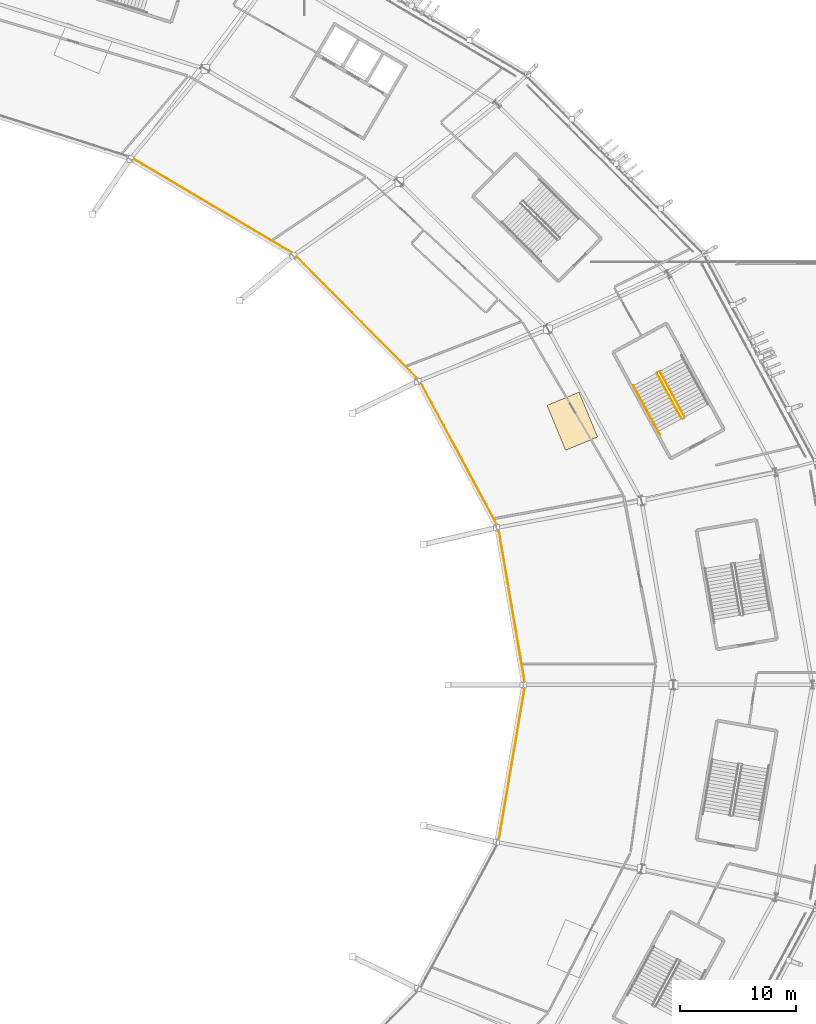
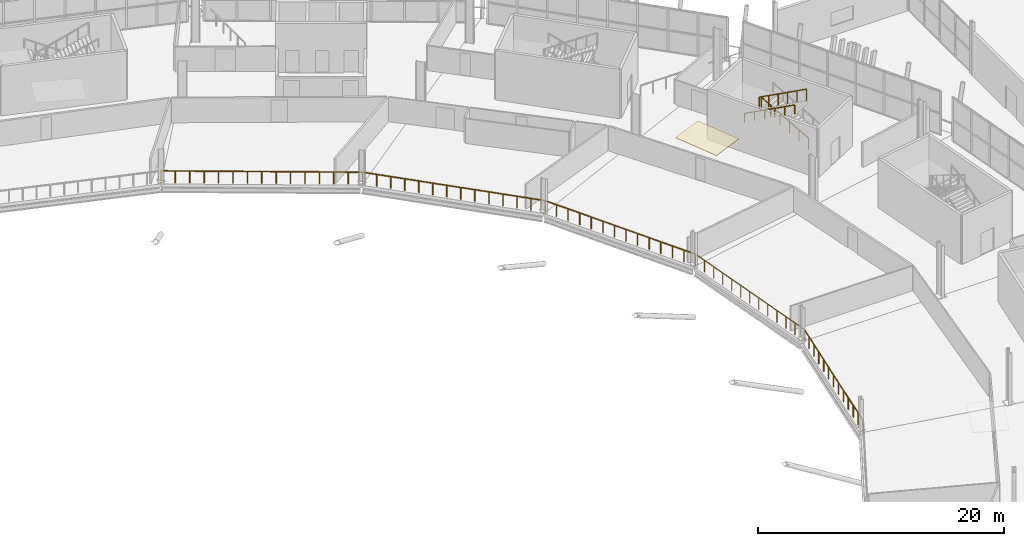
# One storey, part 157 of 168: 8 railings, 1 covering.
"""IFC4 building model written with IfcOpenShell, lengths in metres."""

from ifc_helpers import new_model, si_unit, direction, frame, origin, origin_2d, place, context, subcontext, project, spatial, polyline, rectangle, outline, extrude, material, layer, layer_set, type_object, element, save


model = new_model("IFC4")

# Units and contexts
model_context = context("Model", 3, precision=1e-05, world=origin(), true_north=direction((0.0, 1.0)))
body_context = subcontext(model_context, "Body", "Model", "MODEL_VIEW")
ifc_project = project(units=[si_unit("LENGTHUNIT", "METRE"), si_unit("AREAUNIT", "SQUARE_METRE"), si_unit("VOLUMEUNIT", "CUBIC_METRE"), si_unit("PLANEANGLEUNIT", "RADIAN"), si_unit("MASSUNIT", "GRAM", prefix="KILO")], contexts=[model_context])

# Site, building, storey
site_placement = place(None, origin())
site = spatial("IfcSite", under=ifc_project, at=site_placement, CompositionType="ELEMENT")
building_placement = place(site_placement, origin())
building = spatial("IfcBuilding", under=site, at=building_placement, Name="Zlatoyarsky Gate Stadium", CompositionType="ELEMENT")
storey_placement = place(building_placement, frame((0.0, 0.0, 15.60009765625)))
storey = spatial("IfcBuildingStorey", under=building, at=storey_placement, Name="L03", CompositionType="ELEMENT", Elevation=15.60009765625)

# Railings
ifc_material_1 = material(Name="Powder-coated steel tubular guardrail", Category="steel")
railing_type_1 = type_object("IfcRailingType", Name="CONCOURSE SLAB EDGE GUARDRAIL 1200", PredefinedType="GUARDRAIL", material=ifc_material_1)
railing_1_placement = place(storey_placement, frame((179.179931640625, 80.0, 0.0)))
element("IfcRailing", 1, at=railing_1_placement, inside=storey, type_object=railing_type_1, Name="L03 inner bowl edge guardrail 00", PredefinedType="GUARDRAIL", context=body_context, shape_type="SweptSolid", body=[
    extrude(rectangle(XDim=0.048095703125, YDim=0.048095703125, at=origin_2d()), frame((0.0, 0.0, 1.17578125), z_axis=(-0.167973081768, 0.985791582334, 0.0), x_axis=(-0.985791582334, -0.167973081768, 0.0)), (0.0, 0.0, 1.0), 13.8310546875),
    extrude(rectangle(XDim=0.0419921875, YDim=0.0419921875, at=origin_2d()), origin(), (0.0, 0.0, 1.0), 1.15185546875),
    extrude(rectangle(XDim=0.0419921875, YDim=0.0419921875, at=origin_2d()), frame((-0.193603515625, 1.13623046875, 0.0)), (0.0, 0.0, 1.0), 1.15185546875),
    extrude(rectangle(XDim=0.0419921875, YDim=0.0419921875, at=origin_2d()), frame((-0.38720703125, 2.2724609375, 0.0)), (0.0, 0.0, 1.0), 1.15185546875),
    extrude(rectangle(XDim=0.0419921875, YDim=0.0419921875, at=origin_2d()), frame((-0.580810546875, 3.40869140625, 0.0)), (0.0, 0.0, 1.0), 1.15185546875),
    extrude(rectangle(XDim=0.0419921875, YDim=0.0419921875, at=origin_2d()), frame((-0.7744140625, 4.544921875, 0.0)), (0.0, 0.0, 1.0), 1.15185546875),
    extrude(rectangle(XDim=0.0419921875, YDim=0.0419921875, at=origin_2d()), frame((-0.968017578125, 5.68115234375, 0.0)), (0.0, 0.0, 1.0), 1.15185546875),
    extrude(rectangle(XDim=0.0419921875, YDim=0.0419921875, at=origin_2d()), frame((-1.16162109375, 6.8173828125, 0.0)), (0.0, 0.0, 1.0), 1.15185546875),
    extrude(rectangle(XDim=0.0419921875, YDim=0.0419921875, at=origin_2d()), frame((-1.355224609375, 7.953369140625, 0.0)), (0.0, 0.0, 1.0), 1.15185546875),
    extrude(rectangle(XDim=0.0419921875, YDim=0.0419921875, at=origin_2d()), frame((-1.548828125, 9.089599609375, 0.0)), (0.0, 0.0, 1.0), 1.15185546875),
    extrude(rectangle(XDim=0.0419921875, YDim=0.0419921875, at=origin_2d()), frame((-1.742431640625, 10.225830078125, 0.0)), (0.0, 0.0, 1.0), 1.15185546875),
    extrude(rectangle(XDim=0.0419921875, YDim=0.0419921875, at=origin_2d()), frame((-1.93603515625, 11.362060546875, 0.0)), (0.0, 0.0, 1.0), 1.15185546875),
    extrude(rectangle(XDim=0.0419921875, YDim=0.0419921875, at=origin_2d()), frame((-2.129638671875, 12.498291015625, 0.0)), (0.0, 0.0, 1.0), 1.15185546875),
    extrude(rectangle(XDim=0.0419921875, YDim=0.0419921875, at=origin_2d()), frame((-2.3232421875, 13.634521484375, 0.0)), (0.0, 0.0, 1.0), 1.15185546875),
])
railing_2_placement = place(storey_placement, frame((176.856689453125, 93.634521484375, 0.0)))
element("IfcRailing", 2, at=railing_2_placement, inside=storey, type_object=railing_type_1, Name="L03 inner bowl edge guardrail 01", PredefinedType="GUARDRAIL", context=body_context, shape_type="SweptSolid", body=[
    extrude(rectangle(XDim=0.048095703125, YDim=0.048095703125, at=origin_2d()), frame((0.0, 0.0, 1.17578125), z_axis=(-0.472462954592, 0.88135052989, 0.0), x_axis=(-0.88135052989, -0.472462954592, 0.0)), (0.0, 0.0, 1.0), 14.416015625),
    extrude(rectangle(XDim=0.0419921875, YDim=0.0419921875, at=origin_2d()), origin(), (0.0, 0.0, 1.0), 1.15185546875),
    extrude(rectangle(XDim=0.0419921875, YDim=0.0419921875, at=origin_2d()), frame((-0.52392578125, 0.977294921875, 0.0)), (0.0, 0.0, 1.0), 1.15185546875),
    extrude(rectangle(XDim=0.0419921875, YDim=0.0419921875, at=origin_2d()), frame((-1.0478515625, 1.95458984375, 0.0)), (0.0, 0.0, 1.0), 1.15185546875),
    extrude(rectangle(XDim=0.0419921875, YDim=0.0419921875, at=origin_2d()), frame((-1.57177734375, 2.93212890625, 0.0)), (0.0, 0.0, 1.0), 1.15185546875),
    extrude(rectangle(XDim=0.0419921875, YDim=0.0419921875, at=origin_2d()), frame((-2.095703125, 3.909423828125, 0.0)), (0.0, 0.0, 1.0), 1.15185546875),
    extrude(rectangle(XDim=0.0419921875, YDim=0.0419921875, at=origin_2d()), frame((-2.61962890625, 4.88671875, 0.0)), (0.0, 0.0, 1.0), 1.15185546875),
    extrude(rectangle(XDim=0.0419921875, YDim=0.0419921875, at=origin_2d()), frame((-3.1435546875, 5.864013671875, 0.0)), (0.0, 0.0, 1.0), 1.15185546875),
    extrude(rectangle(XDim=0.0419921875, YDim=0.0419921875, at=origin_2d()), frame((-3.66748046875, 6.841552734375, 0.0)), (0.0, 0.0, 1.0), 1.15185546875),
    extrude(rectangle(XDim=0.0419921875, YDim=0.0419921875, at=origin_2d()), frame((-4.19140625, 7.81884765625, 0.0)), (0.0, 0.0, 1.0), 1.15185546875),
    extrude(rectangle(XDim=0.0419921875, YDim=0.0419921875, at=origin_2d()), frame((-4.71533203125, 8.796142578125, 0.0)), (0.0, 0.0, 1.0), 1.15185546875),
    extrude(rectangle(XDim=0.0419921875, YDim=0.0419921875, at=origin_2d()), frame((-5.2392578125, 9.7734375, 0.0)), (0.0, 0.0, 1.0), 1.15185546875),
    extrude(rectangle(XDim=0.0419921875, YDim=0.0419921875, at=origin_2d()), frame((-5.76318359375, 10.7509765625, 0.0)), (0.0, 0.0, 1.0), 1.15185546875),
    extrude(rectangle(XDim=0.0419921875, YDim=0.0419921875, at=origin_2d()), frame((-6.287109375, 11.728271484375, 0.0)), (0.0, 0.0, 1.0), 1.15185546875),
    extrude(rectangle(XDim=0.0419921875, YDim=0.0419921875, at=origin_2d()), frame((-6.81103515625, 12.70556640625, 0.0)), (0.0, 0.0, 1.0), 1.15185546875),
])
railing_3_placement = place(storey_placement, frame((170.045654296875, 106.340087890625, 0.0)))
element("IfcRailing", 3, at=railing_3_placement, inside=storey, type_object=railing_type_1, Name="L03 inner bowl edge guardrail 02", PredefinedType="GUARDRAIL", context=body_context, shape_type="SweptSolid", body=[
    extrude(rectangle(XDim=0.048095703125, YDim=0.048095703125, at=origin_2d()), frame((0.0, 0.0, 1.17578125), z_axis=(-0.704657425229, 0.709547682027, 0.0), x_axis=(-0.709547682027, -0.704657425229, 0.0)), (0.0, 0.0, 1.0), 15.37646484375),
    extrude(rectangle(XDim=0.0419921875, YDim=0.0419921875, at=origin_2d()), origin(), (0.0, 0.0, 1.0), 1.15185546875),
    extrude(rectangle(XDim=0.0419921875, YDim=0.0419921875, at=origin_2d()), frame((-0.83349609375, 0.83935546875, 0.0)), (0.0, 0.0, 1.0), 1.15185546875),
    extrude(rectangle(XDim=0.0419921875, YDim=0.0419921875, at=origin_2d()), frame((-1.6669921875, 1.678466796875, 0.0)), (0.0, 0.0, 1.0), 1.15185546875),
    extrude(rectangle(XDim=0.0419921875, YDim=0.0419921875, at=origin_2d()), frame((-2.50048828125, 2.517822265625, 0.0)), (0.0, 0.0, 1.0), 1.15185546875),
    extrude(rectangle(XDim=0.0419921875, YDim=0.0419921875, at=origin_2d()), frame((-3.333984375, 3.35693359375, 0.0)), (0.0, 0.0, 1.0), 1.15185546875),
    extrude(rectangle(XDim=0.0419921875, YDim=0.0419921875, at=origin_2d()), frame((-4.16748046875, 4.1962890625, 0.0)), (0.0, 0.0, 1.0), 1.15185546875),
    extrude(rectangle(XDim=0.0419921875, YDim=0.0419921875, at=origin_2d()), frame((-5.0009765625, 5.03564453125, 0.0)), (0.0, 0.0, 1.0), 1.15185546875),
    extrude(rectangle(XDim=0.0419921875, YDim=0.0419921875, at=origin_2d()), frame((-5.834228515625, 5.874755859375, 0.0)), (0.0, 0.0, 1.0), 1.15185546875),
    extrude(rectangle(XDim=0.0419921875, YDim=0.0419921875, at=origin_2d()), frame((-6.667724609375, 6.714111328125, 0.0)), (0.0, 0.0, 1.0), 1.15185546875),
    extrude(rectangle(XDim=0.0419921875, YDim=0.0419921875, at=origin_2d()), frame((-7.501220703125, 7.553466796875, 0.0)), (0.0, 0.0, 1.0), 1.15185546875),
    extrude(rectangle(XDim=0.0419921875, YDim=0.0419921875, at=origin_2d()), frame((-8.334716796875, 8.392578125, 0.0)), (0.0, 0.0, 1.0), 1.15185546875),
    extrude(rectangle(XDim=0.0419921875, YDim=0.0419921875, at=origin_2d()), frame((-9.168212890625, 9.23193359375, 0.0)), (0.0, 0.0, 1.0), 1.15185546875),
    extrude(rectangle(XDim=0.0419921875, YDim=0.0419921875, at=origin_2d()), frame((-10.001708984375, 10.071044921875, 0.0)), (0.0, 0.0, 1.0), 1.15185546875),
    extrude(rectangle(XDim=0.0419921875, YDim=0.0419921875, at=origin_2d()), frame((-10.835205078125, 10.910400390625, 0.0)), (0.0, 0.0, 1.0), 1.15185546875),
])
railing_4_placement = place(storey_placement, frame((159.21044921875, 117.25048828125, 0.0)))
element("IfcRailing", 4, at=railing_4_placement, inside=storey, type_object=railing_type_1, Name="L03 inner bowl edge guardrail 03", PredefinedType="GUARDRAIL", context=body_context, shape_type="SweptSolid", body=[
    extrude(rectangle(XDim=0.048095703125, YDim=0.048095703125, at=origin_2d()), frame((0.0, 0.0, 1.17578125), z_axis=(-0.860179176511, 0.509991945325, 0.0), x_axis=(-0.509991945325, -0.860179176511, 0.0)), (0.0, 0.0, 1.0), 16.41552734375),
    extrude(rectangle(XDim=0.0419921875, YDim=0.0419921875, at=origin_2d()), origin(), (0.0, 0.0, 1.0), 1.15185546875),
    extrude(rectangle(XDim=0.0419921875, YDim=0.0419921875, at=origin_2d()), frame((-1.008544921875, 0.597900390625, 0.0)), (0.0, 0.0, 1.0), 1.15185546875),
    extrude(rectangle(XDim=0.0419921875, YDim=0.0419921875, at=origin_2d()), frame((-2.01708984375, 1.196044921875, 0.0)), (0.0, 0.0, 1.0), 1.15185546875),
    extrude(rectangle(XDim=0.0419921875, YDim=0.0419921875, at=origin_2d()), frame((-3.02587890625, 1.7939453125, 0.0)), (0.0, 0.0, 1.0), 1.15185546875),
    extrude(rectangle(XDim=0.0419921875, YDim=0.0419921875, at=origin_2d()), frame((-4.034423828125, 2.391845703125, 0.0)), (0.0, 0.0, 1.0), 1.15185546875),
    extrude(rectangle(XDim=0.0419921875, YDim=0.0419921875, at=origin_2d()), frame((-5.04296875, 2.989990234375, 0.0)), (0.0, 0.0, 1.0), 1.15185546875),
    extrude(rectangle(XDim=0.0419921875, YDim=0.0419921875, at=origin_2d()), frame((-6.051513671875, 3.587890625, 0.0)), (0.0, 0.0, 1.0), 1.15185546875),
    extrude(rectangle(XDim=0.0419921875, YDim=0.0419921875, at=origin_2d()), frame((-7.06005859375, 4.18603515625, 0.0)), (0.0, 0.0, 1.0), 1.15185546875),
    extrude(rectangle(XDim=0.0419921875, YDim=0.0419921875, at=origin_2d()), frame((-8.06884765625, 4.783935546875, 0.0)), (0.0, 0.0, 1.0), 1.15185546875),
    extrude(rectangle(XDim=0.0419921875, YDim=0.0419921875, at=origin_2d()), frame((-9.077392578125, 5.3818359375, 0.0)), (0.0, 0.0, 1.0), 1.15185546875),
    extrude(rectangle(XDim=0.0419921875, YDim=0.0419921875, at=origin_2d()), frame((-10.0859375, 5.97998046875, 0.0)), (0.0, 0.0, 1.0), 1.15185546875),
    extrude(rectangle(XDim=0.0419921875, YDim=0.0419921875, at=origin_2d()), frame((-11.094482421875, 6.577880859375, 0.0)), (0.0, 0.0, 1.0), 1.15185546875),
    extrude(rectangle(XDim=0.0419921875, YDim=0.0419921875, at=origin_2d()), frame((-12.103271484375, 7.17578125, 0.0)), (0.0, 0.0, 1.0), 1.15185546875),
    extrude(rectangle(XDim=0.0419921875, YDim=0.0419921875, at=origin_2d()), frame((-13.11181640625, 7.77392578125, 0.0)), (0.0, 0.0, 1.0), 1.15185546875),
    extrude(rectangle(XDim=0.0419921875, YDim=0.0419921875, at=origin_2d()), frame((-14.120361328125, 8.371826171875, 0.0)), (0.0, 0.0, 1.0), 1.15185546875),
])
railing_5_placement = place(storey_placement, frame((176.856689453125, 66.365478515625, 0.0)))
element("IfcRailing", 5, at=railing_5_placement, inside=storey, type_object=railing_type_1, Name="L03 inner bowl edge guardrail 23", PredefinedType="GUARDRAIL", context=body_context, shape_type="SweptSolid", body=[
    extrude(rectangle(XDim=0.048095703125, YDim=0.048095703125, at=origin_2d()), frame((0.0, 0.0, 1.17578125), z_axis=(0.167973081768, 0.985791582334, 0.0), x_axis=(-0.985791582334, 0.167973081768, 0.0)), (0.0, 0.0, 1.0), 13.8310546875),
    extrude(rectangle(XDim=0.0419921875, YDim=0.0419921875, at=origin_2d()), origin(), (0.0, 0.0, 1.0), 1.15185546875),
    extrude(rectangle(XDim=0.0419921875, YDim=0.0419921875, at=origin_2d()), frame((0.193603515625, 1.13623046875, 0.0)), (0.0, 0.0, 1.0), 1.15185546875),
    extrude(rectangle(XDim=0.0419921875, YDim=0.0419921875, at=origin_2d()), frame((0.38720703125, 2.2724609375, 0.0)), (0.0, 0.0, 1.0), 1.15185546875),
    extrude(rectangle(XDim=0.0419921875, YDim=0.0419921875, at=origin_2d()), frame((0.580810546875, 3.40869140625, 0.0)), (0.0, 0.0, 1.0), 1.15185546875),
    extrude(rectangle(XDim=0.0419921875, YDim=0.0419921875, at=origin_2d()), frame((0.7744140625, 4.544921875, 0.0)), (0.0, 0.0, 1.0), 1.15185546875),
    extrude(rectangle(XDim=0.0419921875, YDim=0.0419921875, at=origin_2d()), frame((0.968017578125, 5.68115234375, 0.0)), (0.0, 0.0, 1.0), 1.15185546875),
    extrude(rectangle(XDim=0.0419921875, YDim=0.0419921875, at=origin_2d()), frame((1.16162109375, 6.8173828125, 0.0)), (0.0, 0.0, 1.0), 1.15185546875),
    extrude(rectangle(XDim=0.0419921875, YDim=0.0419921875, at=origin_2d()), frame((1.355224609375, 7.953369140625, 0.0)), (0.0, 0.0, 1.0), 1.15185546875),
    extrude(rectangle(XDim=0.0419921875, YDim=0.0419921875, at=origin_2d()), frame((1.548828125, 9.089599609375, 0.0)), (0.0, 0.0, 1.0), 1.15185546875),
    extrude(rectangle(XDim=0.0419921875, YDim=0.0419921875, at=origin_2d()), frame((1.742431640625, 10.225830078125, 0.0)), (0.0, 0.0, 1.0), 1.15185546875),
    extrude(rectangle(XDim=0.0419921875, YDim=0.0419921875, at=origin_2d()), frame((1.93603515625, 11.362060546875, 0.0)), (0.0, 0.0, 1.0), 1.15185546875),
    extrude(rectangle(XDim=0.0419921875, YDim=0.0419921875, at=origin_2d()), frame((2.129638671875, 12.498291015625, 0.0)), (0.0, 0.0, 1.0), 1.15185546875),
    extrude(rectangle(XDim=0.0419921875, YDim=0.0419921875, at=origin_2d()), frame((2.3232421875, 13.634521484375, 0.0)), (0.0, 0.0, 1.0), 1.15185546875),
])
ifc_material_2 = material(Name="Powder-coated steel stair guardrail", Category="steel")
railing_type_2 = type_object("IfcRailingType", Name="PAINTED STEEL STAIR WELL GUARDRAIL 1150", PredefinedType="GUARDRAIL", material=ifc_material_2)
railing_6_placement = place(storey_placement, frame((192.96484375, 103.16650390625, 0.162353515625)))
element("IfcRailing", 6, at=railing_6_placement, inside=storey, type_object=railing_type_2, Name="ST-13 L03 stair guard 1", PredefinedType="GUARDRAIL", context=body_context, shape_type="SweptSolid", body=[
    extrude(rectangle(XDim=0.048095703125, YDim=0.048095703125, at=origin_2d()), frame((0.0, 0.0, 1.1259765625), z_axis=(-0.419324818617, 0.772864776611, 0.476284299098), x_axis=(-0.878963249763, -0.476889510858, 0.0)), (0.0, 0.0, 1.0), 5.11767578125),
    extrude(rectangle(XDim=0.0419921875, YDim=0.0419921875, at=origin_2d()), origin(), (0.0, 0.0, 1.0), 1.101806640625),
    extrude(rectangle(XDim=0.0419921875, YDim=0.0419921875, at=origin_2d()), frame((-0.42919921875, 0.791015625, 0.487548828125)), (0.0, 0.0, 1.0), 1.101806640625),
    extrude(rectangle(XDim=0.0419921875, YDim=0.0419921875, at=origin_2d()), frame((-0.8583984375, 1.58203125, 0.97509765625)), (0.0, 0.0, 1.0), 1.101806640625),
    extrude(rectangle(XDim=0.0419921875, YDim=0.0419921875, at=origin_2d()), frame((-1.28759765625, 2.373291015625, 1.46240234375)), (0.0, 0.0, 1.0), 1.101806640625),
    extrude(rectangle(XDim=0.0419921875, YDim=0.0419921875, at=origin_2d()), frame((-1.716796875, 3.164306640625, 1.949951171875)), (0.0, 0.0, 1.0), 1.101806640625),
    extrude(rectangle(XDim=0.0419921875, YDim=0.0419921875, at=origin_2d()), frame((-2.14599609375, 3.955322265625, 2.4375)), (0.0, 0.0, 1.0), 1.101806640625),
])
railing_7_placement = place(storey_placement, frame((190.55517578125, 106.978759765625, 2.762451171875)))
element("IfcRailing", 7, at=railing_7_placement, inside=storey, type_object=railing_type_2, Name="ST-13 L03 stair guard 3", PredefinedType="GUARDRAIL", context=body_context, shape_type="SweptSolid", body=[
    extrude(rectangle(XDim=0.048095703125, YDim=0.048095703125, at=origin_2d()), frame((0.0, 0.0, 1.1259765625), z_axis=(0.419324818617, -0.772864776611, 0.476284299098), x_axis=(0.878963249763, 0.476889510858, 0.0)), (0.0, 0.0, 1.0), 5.11767578125),
    extrude(rectangle(XDim=0.0419921875, YDim=0.0419921875, at=origin_2d()), origin(), (0.0, 0.0, 1.0), 1.101806640625),
    extrude(rectangle(XDim=0.0419921875, YDim=0.0419921875, at=origin_2d()), frame((0.42919921875, -0.791015625, 0.487548828125)), (0.0, 0.0, 1.0), 1.101806640625),
    extrude(rectangle(XDim=0.0419921875, YDim=0.0419921875, at=origin_2d()), frame((0.8583984375, -1.58203125, 0.97509765625)), (0.0, 0.0, 1.0), 1.101806640625),
    extrude(rectangle(XDim=0.0419921875, YDim=0.0419921875, at=origin_2d()), frame((1.28759765625, -2.373291015625, 1.46240234375)), (0.0, 0.0, 1.0), 1.101806640625),
    extrude(rectangle(XDim=0.0419921875, YDim=0.0419921875, at=origin_2d()), frame((1.716796875, -3.164306640625, 1.949951171875)), (0.0, 0.0, 1.0), 1.101806640625),
    extrude(rectangle(XDim=0.0419921875, YDim=0.0419921875, at=origin_2d()), frame((2.14599609375, -3.955322265625, 2.4375)), (0.0, 0.0, 1.0), 1.101806640625),
])

# Covering
ifc_material_3 = material(Name="Perforated anodised aluminium acoustic ceiling", Category="aluminium")
ifc_layer = layer(ifc_material_3, 0.050048828125)
ifc_layer_set = layer_set([ifc_layer], Name="Perforated anodised aluminium acoustic ceiling")
covering_type = type_object("IfcCoveringType", Name="PERFORATED ACOUSTIC BAFFLE CEILING 50", PredefinedType="CEILING", material=ifc_layer_set)
covering_placement = place(storey_placement, frame((0.0, 0.0, 4.849853515625)))
element("IfcCovering", 8, at=covering_placement, inside=storey, type_object=covering_type, Name="L03 box gallery acoustic ceiling 01", PredefinedType="CEILING", context=body_context, shape_type="SweptSolid", body=[
    extrude(outline(polyline([(182.664794921875, 100.293701171875), (181.0576171875, 104.174072265625), (183.8291015625, 105.322265625), (185.4365234375, 101.44189453125), (182.664794921875, 100.293701171875)])), origin(), (0.0, 0.0, 1.0), 0.050048828125),
])

# Railing
ifc_material_4 = material(Name="Brushed stainless steel 316 handrail", Category="steel")
railing_type_3 = type_object("IfcRailingType", Name="STAINLESS STEEL TUBULAR HANDRAIL 900", PredefinedType="HANDRAIL", material=ifc_material_4)
railing_8_placement = place(storey_placement, frame((188.533447265625, 105.882080078125, 2.766357421875)))
element("IfcRailing", 9, at=railing_8_placement, inside=storey, type_object=railing_type_3, Name="ST-13 L03 stair handrail 2", PredefinedType="HANDRAIL", context=body_context, shape_type="SweptSolid", body=[
    extrude(rectangle(XDim=0.048095703125, YDim=0.048095703125, at=origin_2d()), frame((0.0, 0.0, 0.8759765625), z_axis=(0.419307718725, -0.772874999468, 0.476282764977), x_axis=(0.878974045326, 0.476869612833, 0.0)), (0.0, 0.0, 1.0), 5.459228515625),
    extrude(rectangle(XDim=0.0419921875, YDim=0.0419921875, at=origin_2d()), origin(), (0.0, 0.0, 1.0), 0.851806640625),
    extrude(rectangle(XDim=0.0419921875, YDim=0.0419921875, at=origin_2d()), frame((0.457763671875, -0.84375, 0.52001953125)), (0.0, 0.0, 1.0), 0.851806640625),
    extrude(rectangle(XDim=0.0419921875, YDim=0.0419921875, at=origin_2d()), frame((0.91552734375, -1.687744140625, 1.0400390625)), (0.0, 0.0, 1.0), 0.851806640625),
    extrude(rectangle(XDim=0.0419921875, YDim=0.0419921875, at=origin_2d()), frame((1.37353515625, -2.531494140625, 1.56005859375)), (0.0, 0.0, 1.0), 0.851806640625),
    extrude(rectangle(XDim=0.0419921875, YDim=0.0419921875, at=origin_2d()), frame((1.831298828125, -3.37548828125, 2.080078125)), (0.0, 0.0, 1.0), 0.851806640625),
    extrude(rectangle(XDim=0.0419921875, YDim=0.0419921875, at=origin_2d()), frame((2.2890625, -4.21923828125, 2.60009765625)), (0.0, 0.0, 1.0), 0.851806640625),
])

save(model, "model.ifc")
